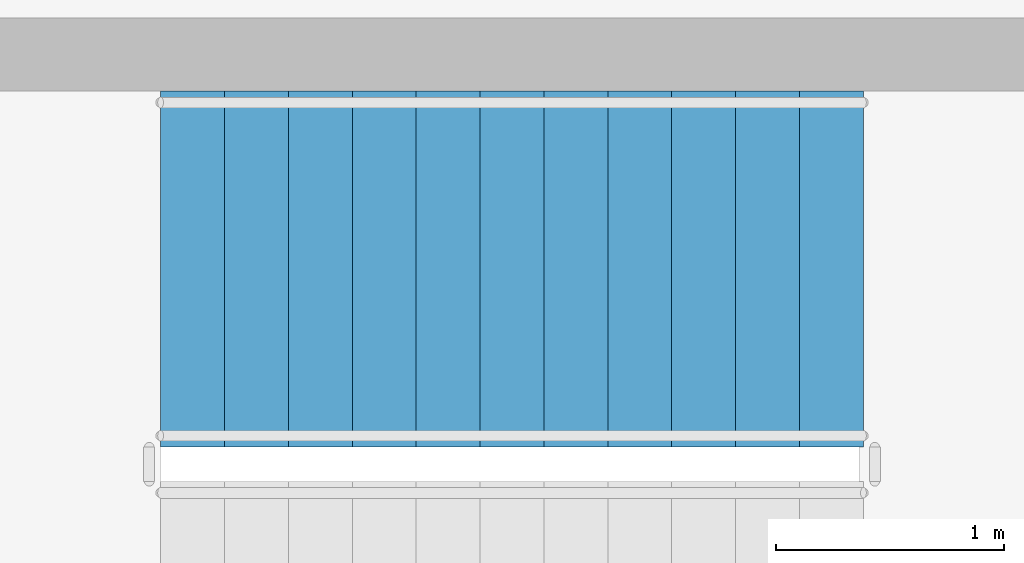
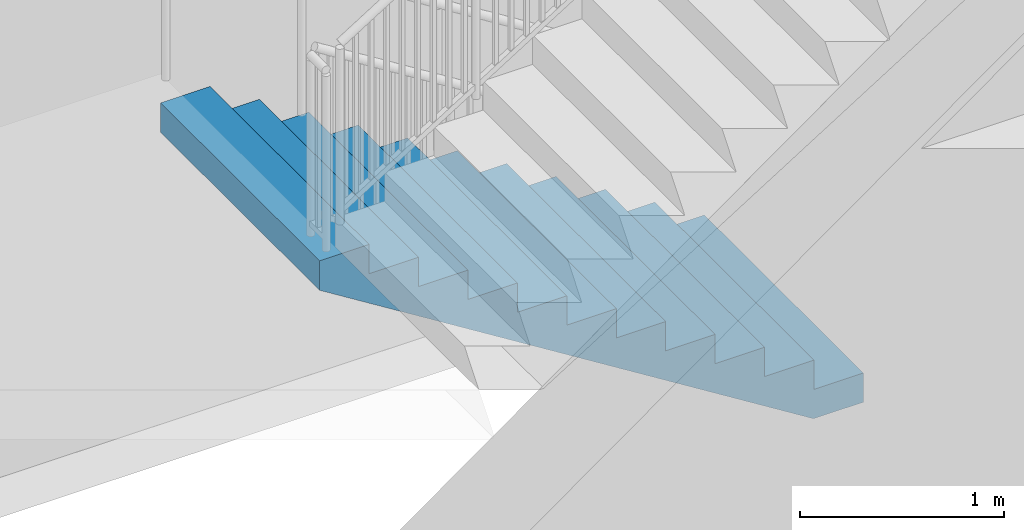
# One storey, part 47 of 63: 1 stair flight, 1 element without a shape of its own.
"""IFC4 building model written with IfcOpenShell, lengths in metres."""

import ifcopenshell
import ifcopenshell.guid

model = None  # the IFC model being written
_history = None  # IfcOwnerHistory: only IFC2X3 demands one
_inside = {}  # id of a spatial element -> (the spatial element, [elements in it])
_under = {}  # id of a project, library or spatial element -> (it, [spatial elements below it])
_declared = {}  # id of a project -> (the project, [libraries it declares])
_typed = {}  # id of a type object -> (the type object, [elements of that type])
_made_of = {}  # id of a material, layer set ... -> (it, [elements and type objects made of it])


def new_model(schema):
    """Start an empty IFC model of exactly this schema.

    Asked for "IFC4X3", IfcOpenShell would pick the latest addendum, in which some entities
    have other attributes; the version numbers below select the first issue.
    IFC2X3 requires an IfcOwnerHistory on every rooted entity: one is made here for all.
    """
    global model, _history
    if schema == "IFC4X3":
        model = ifcopenshell.file(schema_version=(4, 3, 0, 0))
    else:
        model = ifcopenshell.file(schema=schema)
    _inside.clear()
    _under.clear()
    _declared.clear()
    _typed.clear()
    _made_of.clear()
    _history = None
    if model.schema == "IFC2X3":
        org = make("IfcOrganization", Name="unknown")
        user = make(
            "IfcPersonAndOrganization",
            ThePerson=make("IfcPerson", FamilyName="unknown"),
            TheOrganization=org,
        )
        app = make(
            "IfcApplication",
            ApplicationDeveloper=org,
            Version="unknown",
            ApplicationFullName="unknown",
            ApplicationIdentifier="unknown",
        )
        _history = make(
            "IfcOwnerHistory",
            OwningUser=user,
            OwningApplication=app,
            ChangeAction="ADDED",
            CreationDate=0,
        )
    return model


def make(cls, **values):
    """One entity of the class cls with the attributes given. An attribute that is None is left unset."""
    return model.create_entity(
        cls, **{name: value for name, value in values.items() if value is not None}
    )


def rooted(cls, **values):
    """An entity with a GlobalId (a new one), such as an element, a storey or a relation."""
    return make(cls, GlobalId=ifcopenshell.guid.new(), OwnerHistory=_history, **values)


def si_unit(unit_type, name, prefix=None):
    """IfcSIUnit, for example si_unit("LENGTHUNIT", "METRE", prefix="MILLI")."""
    return make("IfcSIUnit", UnitType=unit_type, Prefix=prefix, Name=name)


def assignment(units):
    """IfcUnitAssignment: the units of a project."""
    return None if units is None else make("IfcUnitAssignment", Units=units)


def point(xyz):
    """IfcCartesianPoint."""
    return None if xyz is None else make("IfcCartesianPoint", Coordinates=xyz)


def direction(xyz):
    """IfcDirection."""
    return None if xyz is None else make("IfcDirection", DirectionRatios=xyz)


def frame(location, z_axis=None, x_axis=None):
    """IfcAxis2Placement3D, a coordinate frame: its origin and axes. An axis left out is left unset."""
    return make(
        "IfcAxis2Placement3D",
        Location=point(location),
        Axis=direction(z_axis),
        RefDirection=direction(x_axis),
    )


def origin():
    """The frame at (0, 0, 0) with its axes left unset."""
    return frame((0.0, 0.0, 0.0))


def place(relative_to, where):
    """IfcLocalPlacement: puts the frame where relative to a parent placement (None: the world)."""
    return make(
        "IfcLocalPlacement", PlacementRelTo=relative_to, RelativePlacement=where
    )


def context(
    kind, dimensions, precision=None, world=None, true_north=None, identifier=None
):
    """IfcGeometricRepresentationContext, for example the 3D "Model" context."""
    return make(
        "IfcGeometricRepresentationContext",
        ContextIdentifier=identifier,
        ContextType=kind,
        CoordinateSpaceDimension=dimensions,
        Precision=precision,
        WorldCoordinateSystem=world,
        TrueNorth=true_north,
    )


def subcontext(parent, identifier, kind, view, scale=None):
    """IfcGeometricRepresentationSubContext, for example "Body" below "Model"."""
    return make(
        "IfcGeometricRepresentationSubContext",
        ContextIdentifier=identifier,
        ContextType=kind,
        ParentContext=parent,
        TargetScale=scale,
        TargetView=view,
    )


def project(units=None, contexts=None):
    """IfcProject with its units and contexts."""
    return rooted(
        "IfcProject",
        Name="project",
        RepresentationContexts=contexts,
        UnitsInContext=assignment(units),
    )


def spatial(cls, under=None, at=None, **own):
    """A site, building, storey or space (cls), placed at a placement, below another one or the project."""
    s = rooted(cls, ObjectPlacement=at, **own)
    if under is not None:
        _under.setdefault(under.id(), (under, []))[1].append(s)
    return s


def point_list(points):
    """IfcCartesianPointList2D or 3D."""
    cls = (
        "IfcCartesianPointList2D" if len(points[0]) == 2 else "IfcCartesianPointList3D"
    )
    return make(cls, CoordList=points)


def polygons(points, faces, closed=None, point_numbers=None):
    """IfcPolygonalFaceSet: a face is its outer loop, then its inner loops; points numbered from 1."""
    made = []
    for loops in faces:
        if len(loops) == 1:
            made.append(make("IfcIndexedPolygonalFace", CoordIndex=loops[0]))
        else:
            made.append(
                make(
                    "IfcIndexedPolygonalFaceWithVoids",
                    CoordIndex=loops[0],
                    InnerCoordIndices=loops[1:],
                )
            )
    return make(
        "IfcPolygonalFaceSet",
        Coordinates=point_list(points),
        Closed=closed,
        Faces=made,
        PnIndex=point_numbers,
    )


def shape(context_of_items, identifier, shape_type, items):
    """IfcShapeRepresentation: the items that make up one representation, for example the "Body"."""
    return make(
        "IfcShapeRepresentation",
        ContextOfItems=context_of_items,
        RepresentationIdentifier=identifier,
        RepresentationType=shape_type,
        Items=items,
    )


def material(Name=None, Category=None):
    """IfcMaterial."""
    return make("IfcMaterial", Name=Name, Category=Category)


def made_of(thing, what):
    """Note that an element or type object is made of a material, layer set ...; save() writes the relation."""
    if what is not None:
        _made_of.setdefault(what.id(), (what, []))[1].append(thing)
    return thing


def type_object(cls, material=None, **own):
    """A type object (cls), such as IfcWallType, which elements share."""
    return made_of(rooted(cls, **own), material)


def element(
    cls,
    number,
    at=None,
    inside=None,
    cuts=None,
    type_object=None,
    material=None,
    context=None,
    identifier="Body",
    shape_type=None,
    held_by="IfcProductDefinitionShape",
    body=None,
    shapes=None,
    **own,
):
    """One element of the class cls, such as IfcWall. Its Tag is "e" and its number.

    at: its placement. inside: the storey or other place that contains it. cuts: it is an
    opening in that element (IfcRelVoidsElement). A single representation is given by context,
    identifier, shape_type and body (its items); several are given by shapes. held_by: the class
    of the entity that holds the representations. save() writes the other relations.
    """
    e = rooted(cls, Tag="e%d" % number, ObjectPlacement=at, **own)
    if body is not None:
        shapes = [shape(context, identifier, shape_type, body)]
    if shapes is not None:
        e.Representation = make(held_by, Representations=shapes)
    if inside is not None:
        _inside.setdefault(inside.id(), (inside, []))[1].append(e)
    if cuts is not None:
        rooted(
            "IfcRelVoidsElement", RelatingBuildingElement=cuts, RelatedOpeningElement=e
        )
    if type_object is not None:
        _typed.setdefault(type_object.id(), (type_object, []))[1].append(e)
    return made_of(e, material)


def aggregate(whole, parts):
    """IfcRelAggregates: a whole, such as a stair, and the parts it consists of."""
    return rooted("IfcRelAggregates", RelatingObject=whole, RelatedObjects=parts)


def save(model, path):
    """Write the relations noted so far, then the file.

    IfcRelAggregates (storeys below a building ...), IfcRelContainedInSpatialStructure (elements
    in a storey), IfcRelDefinesByType, IfcRelAssociatesMaterial and IfcRelDeclares: one each for
    every whole, place, type object, material and project.
    """
    for whole, parts in _under.values():
        aggregate(whole, parts)
    for where, things in _inside.values():
        rooted(
            "IfcRelContainedInSpatialStructure",
            RelatedElements=things,
            RelatingStructure=where,
        )
    for kind, things in _typed.values():
        rooted("IfcRelDefinesByType", RelatedObjects=things, RelatingType=kind)
    for what, things in _made_of.values():
        rooted("IfcRelAssociatesMaterial", RelatedObjects=things, RelatingMaterial=what)
    for by, libraries in _declared.values():
        rooted("IfcRelDeclares", RelatingContext=by, RelatedDefinitions=libraries)
    model.write(path)


model = new_model("IFC4")

# Units and contexts
model_context = context("Model", 3, precision=1e-05, world=origin(), true_north=direction((0.0, 1.0)))
body_context = subcontext(model_context, "Body", "Model", "MODEL_VIEW")
ifc_project = project(units=[si_unit("LENGTHUNIT", "METRE"), si_unit("AREAUNIT", "SQUARE_METRE"), si_unit("VOLUMEUNIT", "CUBIC_METRE"), si_unit("PLANEANGLEUNIT", "RADIAN"), si_unit("MASSUNIT", "GRAM", prefix="KILO")], contexts=[model_context])

# Site, building, storey
site_placement = place(None, origin())
site = spatial("IfcSite", under=ifc_project, at=site_placement, CompositionType="ELEMENT")
building_placement = place(site_placement, origin())
building = spatial("IfcBuilding", under=site, at=building_placement, Name="Zantavel Square City Hall", CompositionType="ELEMENT")
storey_placement = place(building_placement, frame((0.0, 0.0, 14.699951171875)))
storey = spatial("IfcBuildingStorey", under=building, at=storey_placement, Name="L04", CompositionType="ELEMENT", Elevation=14.699951171875)

# Stair, stair flight
ifc_material = material(Name="Concrete C35/45", Category="concrete")
stair_type = type_object("IfcStairType", Name="Enclosed Core Dogleg Stair L04 H4200", PredefinedType="HALF_TURN_STAIR", material=ifc_material)
stair_placement = place(storey_placement, origin())
stair = element("IfcStair", 1, at=stair_placement, inside=storey, type_object=stair_type, Name="L04 Exit Stair 6 Central East Core", PredefinedType="HALF_TURN_STAIR")
stair_flight_type = type_object("IfcStairFlightType", Name="Enclosed Core Stair Flight L04 W1560", PredefinedType="STRAIGHT", material=ifc_material)
stair_flight_placement = place(storey_placement, frame((101.969970703125, 63.889892578125, 0.0), z_axis=(0.0, 0.0, 1.0), x_axis=(-1.0, 0.0, 0.0)))
stair_flight = element("IfcStairFlight", 2, at=stair_flight_placement, type_object=stair_flight_type, Name="ST6 flight 1", NumberOfRisers=12, NumberOfTreads=11, PredefinedType="STRAIGHT", RiserHeight=0.175, TreadLength=0.28, context=body_context, shape_type="Tessellation", body=[
    polygons([(0.28271484375, -0.780029296875, 0.0), (3.080078125, -0.780029296875, 1.748291015625), (3.080078125, -0.780029296875, 1.925048828125), (2.800048828125, -0.780029296875, 1.925048828125), (2.800048828125, -0.780029296875, 1.75), (2.52001953125, -0.780029296875, 1.75), (2.52001953125, -0.780029296875, 1.574951171875), (2.239990234375, -0.780029296875, 1.574951171875), (2.239990234375, -0.780029296875, 1.39990234375), (1.9599609375, -0.780029296875, 1.39990234375), (1.9599609375, -0.780029296875, 1.22509765625), (1.679931640625, -0.780029296875, 1.22509765625), (1.679931640625, -0.780029296875, 1.050048828125), (1.39990234375, -0.780029296875, 1.050048828125), (1.39990234375, -0.780029296875, 0.875), (1.1201171875, -0.780029296875, 0.875), (1.1201171875, -0.780029296875, 0.699951171875), (0.840087890625, -0.780029296875, 0.699951171875), (0.840087890625, -0.780029296875, 0.52490234375), (0.56005859375, -0.780029296875, 0.52490234375), (0.56005859375, -0.780029296875, 0.35009765625), (0.280029296875, -0.780029296875, 0.35009765625), (0.280029296875, -0.780029296875, 0.175048828125), (0.0, -0.780029296875, 0.175048828125), (0.0, -0.780029296875, 0.0), (0.28271484375, -0.5849609375, 0.0), (3.080078125, -0.5849609375, 1.748291015625), (3.080078125, -0.5849609375, 1.925048828125), (2.800048828125, -0.5849609375, 1.925048828125), (2.800048828125, -0.5849609375, 1.75), (2.52001953125, -0.5849609375, 1.75), (2.52001953125, -0.5849609375, 1.574951171875), (2.239990234375, -0.5849609375, 1.574951171875), (2.239990234375, -0.5849609375, 1.39990234375), (1.9599609375, -0.5849609375, 1.39990234375), (1.9599609375, -0.5849609375, 1.22509765625), (1.679931640625, -0.5849609375, 1.22509765625), (1.679931640625, -0.5849609375, 1.050048828125), (1.39990234375, -0.5849609375, 1.050048828125), (1.39990234375, -0.5849609375, 0.875), (1.1201171875, -0.5849609375, 0.875), (1.1201171875, -0.5849609375, 0.699951171875), (0.840087890625, -0.5849609375, 0.699951171875), (0.840087890625, -0.5849609375, 0.52490234375), (0.56005859375, -0.5849609375, 0.52490234375), (0.56005859375, -0.5849609375, 0.35009765625), (0.280029296875, -0.5849609375, 0.35009765625), (0.280029296875, -0.5849609375, 0.175048828125), (0.0, -0.5849609375, 0.175048828125), (0.0, -0.5849609375, 0.0), (0.28271484375, -0.39013671875, 0.0), (3.080078125, -0.39013671875, 1.748291015625), (3.080078125, -0.39013671875, 1.925048828125), (2.800048828125, -0.39013671875, 1.925048828125), (2.800048828125, -0.39013671875, 1.75), (2.52001953125, -0.39013671875, 1.75), (2.52001953125, -0.39013671875, 1.574951171875), (2.239990234375, -0.39013671875, 1.574951171875), (2.239990234375, -0.39013671875, 1.39990234375), (1.9599609375, -0.39013671875, 1.39990234375), (1.9599609375, -0.39013671875, 1.22509765625), (1.679931640625, -0.39013671875, 1.22509765625), (1.679931640625, -0.39013671875, 1.050048828125), (1.39990234375, -0.39013671875, 1.050048828125), (1.39990234375, -0.39013671875, 0.875), (1.1201171875, -0.39013671875, 0.875), (1.1201171875, -0.39013671875, 0.699951171875), (0.840087890625, -0.39013671875, 0.699951171875), (0.840087890625, -0.39013671875, 0.52490234375), (0.56005859375, -0.39013671875, 0.52490234375), (0.56005859375, -0.39013671875, 0.35009765625), (0.280029296875, -0.39013671875, 0.35009765625), (0.280029296875, -0.39013671875, 0.175048828125), (0.0, -0.39013671875, 0.175048828125), (0.0, -0.39013671875, 0.0), (0.28271484375, -0.195068359375, 0.0), (3.080078125, -0.195068359375, 1.748291015625), (3.080078125, -0.195068359375, 1.925048828125), (2.800048828125, -0.195068359375, 1.925048828125), (2.800048828125, -0.195068359375, 1.75), (2.52001953125, -0.195068359375, 1.75), (2.52001953125, -0.195068359375, 1.574951171875), (2.239990234375, -0.195068359375, 1.574951171875), (2.239990234375, -0.195068359375, 1.39990234375), (1.9599609375, -0.195068359375, 1.39990234375), (1.9599609375, -0.195068359375, 1.22509765625), (1.679931640625, -0.195068359375, 1.22509765625), (1.679931640625, -0.195068359375, 1.050048828125), (1.39990234375, -0.195068359375, 1.050048828125), (1.39990234375, -0.195068359375, 0.875), (1.1201171875, -0.195068359375, 0.875), (1.1201171875, -0.195068359375, 0.699951171875), (0.840087890625, -0.195068359375, 0.699951171875), (0.840087890625, -0.195068359375, 0.52490234375), (0.56005859375, -0.195068359375, 0.52490234375), (0.56005859375, -0.195068359375, 0.35009765625), (0.280029296875, -0.195068359375, 0.35009765625), (0.280029296875, -0.195068359375, 0.175048828125), (0.0, -0.195068359375, 0.175048828125), (0.0, -0.195068359375, 0.0), (0.28271484375, 0.0, 0.0), (3.080078125, 0.0, 1.748291015625), (3.080078125, 0.0, 1.925048828125), (2.800048828125, 0.0, 1.925048828125), (2.800048828125, 0.0, 1.75), (2.52001953125, 0.0, 1.75), (2.52001953125, 0.0, 1.574951171875), (2.239990234375, 0.0, 1.574951171875), (2.239990234375, 0.0, 1.39990234375), (1.9599609375, 0.0, 1.39990234375), (1.9599609375, 0.0, 1.22509765625), (1.679931640625, 0.0, 1.22509765625), (1.679931640625, 0.0, 1.050048828125), (1.39990234375, 0.0, 1.050048828125), (1.39990234375, 0.0, 0.875), (1.1201171875, 0.0, 0.875), (1.1201171875, 0.0, 0.699951171875), (0.840087890625, 0.0, 0.699951171875), (0.840087890625, 0.0, 0.52490234375), (0.56005859375, 0.0, 0.52490234375), (0.56005859375, 0.0, 0.35009765625), (0.280029296875, 0.0, 0.35009765625), (0.280029296875, 0.0, 0.175048828125), (0.0, 0.0, 0.175048828125), (0.0, 0.0, 0.0), (0.28271484375, 0.195068359375, 0.0), (3.080078125, 0.195068359375, 1.748291015625), (3.080078125, 0.195068359375, 1.925048828125), (2.800048828125, 0.195068359375, 1.925048828125), (2.800048828125, 0.195068359375, 1.75), (2.52001953125, 0.195068359375, 1.75), (2.52001953125, 0.195068359375, 1.574951171875), (2.239990234375, 0.195068359375, 1.574951171875), (2.239990234375, 0.195068359375, 1.39990234375), (1.9599609375, 0.195068359375, 1.39990234375), (1.9599609375, 0.195068359375, 1.22509765625), (1.679931640625, 0.195068359375, 1.22509765625), (1.679931640625, 0.195068359375, 1.050048828125), (1.39990234375, 0.195068359375, 1.050048828125), (1.39990234375, 0.195068359375, 0.875), (1.1201171875, 0.195068359375, 0.875), (1.1201171875, 0.195068359375, 0.699951171875), (0.840087890625, 0.195068359375, 0.699951171875), (0.840087890625, 0.195068359375, 0.52490234375), (0.56005859375, 0.195068359375, 0.52490234375), (0.56005859375, 0.195068359375, 0.35009765625), (0.280029296875, 0.195068359375, 0.35009765625), (0.280029296875, 0.195068359375, 0.175048828125), (0.0, 0.195068359375, 0.175048828125), (0.0, 0.195068359375, 0.0), (0.28271484375, 0.39013671875, 0.0), (3.080078125, 0.39013671875, 1.748291015625), (3.080078125, 0.39013671875, 1.925048828125), (2.800048828125, 0.39013671875, 1.925048828125), (2.800048828125, 0.39013671875, 1.75), (2.52001953125, 0.39013671875, 1.75), (2.52001953125, 0.39013671875, 1.574951171875), (2.239990234375, 0.39013671875, 1.574951171875), (2.239990234375, 0.39013671875, 1.39990234375), (1.9599609375, 0.39013671875, 1.39990234375), (1.9599609375, 0.39013671875, 1.22509765625), (1.679931640625, 0.39013671875, 1.22509765625), (1.679931640625, 0.39013671875, 1.050048828125), (1.39990234375, 0.39013671875, 1.050048828125), (1.39990234375, 0.39013671875, 0.875), (1.1201171875, 0.39013671875, 0.875), (1.1201171875, 0.39013671875, 0.699951171875), (0.840087890625, 0.39013671875, 0.699951171875), (0.840087890625, 0.39013671875, 0.52490234375), (0.56005859375, 0.39013671875, 0.52490234375), (0.56005859375, 0.39013671875, 0.35009765625), (0.280029296875, 0.39013671875, 0.35009765625), (0.280029296875, 0.39013671875, 0.175048828125), (0.0, 0.39013671875, 0.175048828125), (0.0, 0.39013671875, 0.0), (0.28271484375, 0.5849609375, 0.0), (3.080078125, 0.5849609375, 1.748291015625), (3.080078125, 0.5849609375, 1.925048828125), (2.800048828125, 0.5849609375, 1.925048828125), (2.800048828125, 0.5849609375, 1.75), (2.52001953125, 0.5849609375, 1.75), (2.52001953125, 0.5849609375, 1.574951171875), (2.239990234375, 0.5849609375, 1.574951171875), (2.239990234375, 0.5849609375, 1.39990234375), (1.9599609375, 0.5849609375, 1.39990234375), (1.9599609375, 0.5849609375, 1.22509765625), (1.679931640625, 0.5849609375, 1.22509765625), (1.679931640625, 0.5849609375, 1.050048828125), (1.39990234375, 0.5849609375, 1.050048828125), (1.39990234375, 0.5849609375, 0.875), (1.1201171875, 0.5849609375, 0.875), (1.1201171875, 0.5849609375, 0.699951171875), (0.840087890625, 0.5849609375, 0.699951171875), (0.840087890625, 0.5849609375, 0.52490234375), (0.56005859375, 0.5849609375, 0.52490234375), (0.56005859375, 0.5849609375, 0.35009765625), (0.280029296875, 0.5849609375, 0.35009765625), (0.280029296875, 0.5849609375, 0.175048828125), (0.0, 0.5849609375, 0.175048828125), (0.0, 0.5849609375, 0.0), (0.28271484375, 0.780029296875, 0.0), (3.080078125, 0.780029296875, 1.748291015625), (3.080078125, 0.780029296875, 1.925048828125), (2.800048828125, 0.780029296875, 1.925048828125), (2.800048828125, 0.780029296875, 1.75), (2.52001953125, 0.780029296875, 1.75), (2.52001953125, 0.780029296875, 1.574951171875), (2.239990234375, 0.780029296875, 1.574951171875), (2.239990234375, 0.780029296875, 1.39990234375), (1.9599609375, 0.780029296875, 1.39990234375), (1.9599609375, 0.780029296875, 1.22509765625), (1.679931640625, 0.780029296875, 1.22509765625), (1.679931640625, 0.780029296875, 1.050048828125), (1.39990234375, 0.780029296875, 1.050048828125), (1.39990234375, 0.780029296875, 0.875), (1.1201171875, 0.780029296875, 0.875), (1.1201171875, 0.780029296875, 0.699951171875), (0.840087890625, 0.780029296875, 0.699951171875), (0.840087890625, 0.780029296875, 0.52490234375), (0.56005859375, 0.780029296875, 0.52490234375), (0.56005859375, 0.780029296875, 0.35009765625), (0.280029296875, 0.780029296875, 0.35009765625), (0.280029296875, 0.780029296875, 0.175048828125), (0.0, 0.780029296875, 0.175048828125), (0.0, 0.780029296875, 0.0)], [[[1, 2, 3, 4, 5, 6, 7, 8, 9, 10, 11, 12, 13, 14, 15, 16, 17, 18, 19, 20, 21, 22, 23, 24, 25]], [[225, 224, 223, 222, 221, 220, 219, 218, 217, 216, 215, 214, 213, 212, 211, 210, 209, 208, 207, 206, 205, 204, 203, 202, 201]], [[1, 26, 27]], [[1, 27, 2]], [[2, 27, 28]], [[2, 28, 3]], [[3, 28, 29]], [[3, 29, 4]], [[4, 29, 30]], [[4, 30, 5]], [[5, 30, 31]], [[5, 31, 6]], [[6, 31, 32]], [[6, 32, 7]], [[7, 32, 33]], [[7, 33, 8]], [[8, 33, 34]], [[8, 34, 9]], [[9, 34, 35]], [[9, 35, 10]], [[10, 35, 36]], [[10, 36, 11]], [[11, 36, 37]], [[11, 37, 12]], [[12, 37, 38]], [[12, 38, 13]], [[13, 38, 39]], [[13, 39, 14]], [[14, 39, 40]], [[14, 40, 15]], [[15, 40, 41]], [[15, 41, 16]], [[16, 41, 42]], [[16, 42, 17]], [[17, 42, 43]], [[17, 43, 18]], [[18, 43, 44]], [[18, 44, 19]], [[19, 44, 45]], [[19, 45, 20]], [[20, 45, 46]], [[20, 46, 21]], [[21, 46, 47]], [[21, 47, 22]], [[22, 47, 48]], [[22, 48, 23]], [[23, 48, 49]], [[23, 49, 24]], [[24, 49, 50]], [[24, 50, 25]], [[25, 50, 26]], [[25, 26, 1]], [[26, 51, 52]], [[26, 52, 27]], [[27, 52, 53]], [[27, 53, 28]], [[28, 53, 54]], [[28, 54, 29]], [[29, 54, 55]], [[29, 55, 30]], [[30, 55, 56]], [[30, 56, 31]], [[31, 56, 57]], [[31, 57, 32]], [[32, 57, 58]], [[32, 58, 33]], [[33, 58, 59]], [[33, 59, 34]], [[34, 59, 60]], [[34, 60, 35]], [[35, 60, 61]], [[35, 61, 36]], [[36, 61, 62]], [[36, 62, 37]], [[37, 62, 63]], [[37, 63, 38]], [[38, 63, 64]], [[38, 64, 39]], [[39, 64, 65]], [[39, 65, 40]], [[40, 65, 66]], [[40, 66, 41]], [[41, 66, 67]], [[41, 67, 42]], [[42, 67, 68]], [[42, 68, 43]], [[43, 68, 69]], [[43, 69, 44]], [[44, 69, 70]], [[44, 70, 45]], [[45, 70, 71]], [[45, 71, 46]], [[46, 71, 72]], [[46, 72, 47]], [[47, 72, 73]], [[47, 73, 48]], [[48, 73, 74]], [[48, 74, 49]], [[49, 74, 75]], [[49, 75, 50]], [[50, 75, 51]], [[50, 51, 26]], [[51, 76, 77]], [[51, 77, 52]], [[52, 77, 78]], [[52, 78, 53]], [[53, 78, 79]], [[53, 79, 54]], [[54, 79, 80]], [[54, 80, 55]], [[55, 80, 81]], [[55, 81, 56]], [[56, 81, 82]], [[56, 82, 57]], [[57, 82, 83]], [[57, 83, 58]], [[58, 83, 84]], [[58, 84, 59]], [[59, 84, 85]], [[59, 85, 60]], [[60, 85, 86]], [[60, 86, 61]], [[61, 86, 87]], [[61, 87, 62]], [[62, 87, 88]], [[62, 88, 63]], [[63, 88, 89]], [[63, 89, 64]], [[64, 89, 90]], [[64, 90, 65]], [[65, 90, 91]], [[65, 91, 66]], [[66, 91, 92]], [[66, 92, 67]], [[67, 92, 93]], [[67, 93, 68]], [[68, 93, 94]], [[68, 94, 69]], [[69, 94, 95]], [[69, 95, 70]], [[70, 95, 96]], [[70, 96, 71]], [[71, 96, 97]], [[71, 97, 72]], [[72, 97, 98]], [[72, 98, 73]], [[73, 98, 99]], [[73, 99, 74]], [[74, 99, 100]], [[74, 100, 75]], [[75, 100, 76]], [[75, 76, 51]], [[76, 101, 102]], [[76, 102, 77]], [[77, 102, 103]], [[77, 103, 78]], [[78, 103, 104]], [[78, 104, 79]], [[79, 104, 105]], [[79, 105, 80]], [[80, 105, 106]], [[80, 106, 81]], [[81, 106, 107]], [[81, 107, 82]], [[82, 107, 108]], [[82, 108, 83]], [[83, 108, 109]], [[83, 109, 84]], [[84, 109, 110]], [[84, 110, 85]], [[85, 110, 111]], [[85, 111, 86]], [[86, 111, 112]], [[86, 112, 87]], [[87, 112, 113]], [[87, 113, 88]], [[88, 113, 114]], [[88, 114, 89]], [[89, 114, 115]], [[89, 115, 90]], [[90, 115, 116]], [[90, 116, 91]], [[91, 116, 117]], [[91, 117, 92]], [[92, 117, 118]], [[92, 118, 93]], [[93, 118, 119]], [[93, 119, 94]], [[94, 119, 120]], [[94, 120, 95]], [[95, 120, 121]], [[95, 121, 96]], [[96, 121, 122]], [[96, 122, 97]], [[97, 122, 123]], [[97, 123, 98]], [[98, 123, 124]], [[98, 124, 99]], [[99, 124, 125]], [[99, 125, 100]], [[100, 125, 101]], [[100, 101, 76]], [[101, 126, 102]], [[126, 127, 102]], [[102, 127, 103]], [[127, 128, 103]], [[103, 128, 104]], [[128, 129, 104]], [[104, 129, 105]], [[129, 130, 105]], [[105, 130, 106]], [[130, 131, 106]], [[106, 131, 107]], [[131, 132, 107]], [[107, 132, 108]], [[132, 133, 108]], [[108, 133, 109]], [[133, 134, 109]], [[109, 134, 110]], [[134, 135, 110]], [[110, 135, 111]], [[135, 136, 111]], [[111, 136, 112]], [[136, 137, 112]], [[112, 137, 113]], [[137, 138, 113]], [[113, 138, 114]], [[138, 139, 114]], [[114, 139, 115]], [[139, 140, 115]], [[115, 140, 116]], [[140, 141, 116]], [[116, 141, 117]], [[141, 142, 117]], [[117, 142, 118]], [[142, 143, 118]], [[118, 143, 119]], [[143, 144, 119]], [[119, 144, 120]], [[144, 145, 120]], [[120, 145, 121]], [[145, 146, 121]], [[121, 146, 122]], [[146, 147, 122]], [[122, 147, 123]], [[147, 148, 123]], [[123, 148, 124]], [[148, 149, 124]], [[124, 149, 125]], [[149, 150, 125]], [[125, 150, 101]], [[150, 126, 101]], [[126, 151, 127]], [[151, 152, 127]], [[127, 152, 128]], [[152, 153, 128]], [[128, 153, 129]], [[153, 154, 129]], [[129, 154, 130]], [[154, 155, 130]], [[130, 155, 131]], [[155, 156, 131]], [[131, 156, 132]], [[156, 157, 132]], [[132, 157, 133]], [[157, 158, 133]], [[133, 158, 134]], [[158, 159, 134]], [[134, 159, 135]], [[159, 160, 135]], [[135, 160, 136]], [[160, 161, 136]], [[136, 161, 137]], [[161, 162, 137]], [[137, 162, 138]], [[162, 163, 138]], [[138, 163, 139]], [[163, 164, 139]], [[139, 164, 140]], [[164, 165, 140]], [[140, 165, 141]], [[165, 166, 141]], [[141, 166, 142]], [[166, 167, 142]], [[142, 167, 143]], [[167, 168, 143]], [[143, 168, 144]], [[168, 169, 144]], [[144, 169, 145]], [[169, 170, 145]], [[145, 170, 146]], [[170, 171, 146]], [[146, 171, 147]], [[171, 172, 147]], [[147, 172, 148]], [[172, 173, 148]], [[148, 173, 149]], [[173, 174, 149]], [[149, 174, 150]], [[174, 175, 150]], [[150, 175, 126]], [[175, 151, 126]], [[151, 176, 152]], [[176, 177, 152]], [[152, 177, 153]], [[177, 178, 153]], [[153, 178, 154]], [[178, 179, 154]], [[154, 179, 155]], [[179, 180, 155]], [[155, 180, 156]], [[180, 181, 156]], [[156, 181, 157]], [[181, 182, 157]], [[157, 182, 158]], [[182, 183, 158]], [[158, 183, 159]], [[183, 184, 159]], [[159, 184, 160]], [[184, 185, 160]], [[160, 185, 161]], [[185, 186, 161]], [[161, 186, 162]], [[186, 187, 162]], [[162, 187, 163]], [[187, 188, 163]], [[163, 188, 164]], [[188, 189, 164]], [[164, 189, 165]], [[189, 190, 165]], [[165, 190, 166]], [[190, 191, 166]], [[166, 191, 167]], [[191, 192, 167]], [[167, 192, 168]], [[192, 193, 168]], [[168, 193, 169]], [[193, 194, 169]], [[169, 194, 170]], [[194, 195, 170]], [[170, 195, 171]], [[195, 196, 171]], [[171, 196, 172]], [[196, 197, 172]], [[172, 197, 173]], [[197, 198, 173]], [[173, 198, 174]], [[198, 199, 174]], [[174, 199, 175]], [[199, 200, 175]], [[175, 200, 151]], [[200, 176, 151]], [[176, 201, 177]], [[201, 202, 177]], [[177, 202, 178]], [[202, 203, 178]], [[178, 203, 179]], [[203, 204, 179]], [[179, 204, 180]], [[204, 205, 180]], [[180, 205, 181]], [[205, 206, 181]], [[181, 206, 182]], [[206, 207, 182]], [[182, 207, 183]], [[207, 208, 183]], [[183, 208, 184]], [[208, 209, 184]], [[184, 209, 185]], [[209, 210, 185]], [[185, 210, 186]], [[210, 211, 186]], [[186, 211, 187]], [[211, 212, 187]], [[187, 212, 188]], [[212, 213, 188]], [[188, 213, 189]], [[213, 214, 189]], [[189, 214, 190]], [[214, 215, 190]], [[190, 215, 191]], [[215, 216, 191]], [[191, 216, 192]], [[216, 217, 192]], [[192, 217, 193]], [[217, 218, 193]], [[193, 218, 194]], [[218, 219, 194]], [[194, 219, 195]], [[219, 220, 195]], [[195, 220, 196]], [[220, 221, 196]], [[196, 221, 197]], [[221, 222, 197]], [[197, 222, 198]], [[222, 223, 198]], [[198, 223, 199]], [[223, 224, 199]], [[199, 224, 200]], [[224, 225, 200]], [[200, 225, 176]], [[225, 201, 176]]], closed=True),
])
aggregate(stair, [stair_flight])

save(model, "model.ifc")
